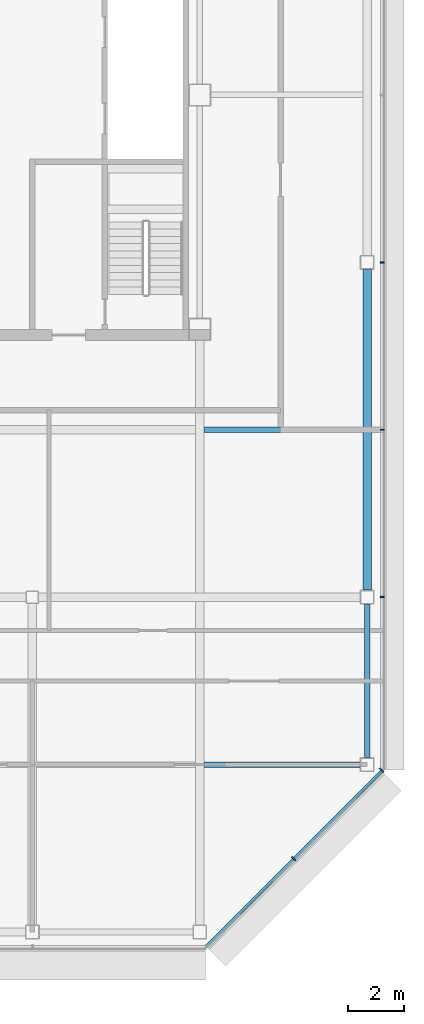
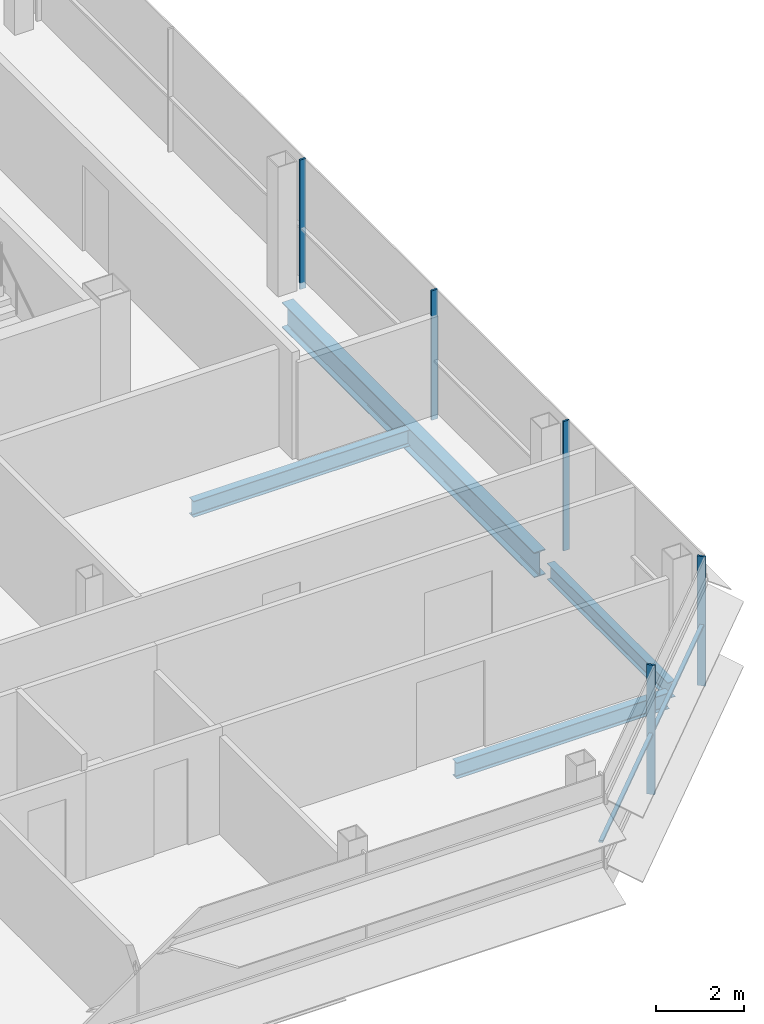
# One storey, part 17 of 28: 6 members, 4 beams, 2 elements without a shape of their own.
"""IFC4 building model written with IfcOpenShell, lengths in metres."""

from ifc_helpers import new_model, si_unit, direction, frame, origin, origin_2d, place, context, subcontext, project, spatial, rectangle, i_section, extrude, material, material_profile, profile_set, type_object, element, aggregate, save


model = new_model("IFC4")

# Units and contexts
model_context = context("Model", 3, precision=1e-05, world=origin(), true_north=direction((0.0, 1.0)))
body_context = subcontext(model_context, "Body", "Model", "MODEL_VIEW")
ifc_project = project(units=[si_unit("LENGTHUNIT", "METRE"), si_unit("AREAUNIT", "SQUARE_METRE"), si_unit("VOLUMEUNIT", "CUBIC_METRE"), si_unit("PLANEANGLEUNIT", "RADIAN"), si_unit("MASSUNIT", "GRAM", prefix="KILO")], contexts=[model_context])

# Site, building, storey
site_placement = place(None, origin())
site = spatial("IfcSite", under=ifc_project, at=site_placement, CompositionType="ELEMENT")
building_placement = place(site_placement, origin())
building = spatial("IfcBuilding", under=site, at=building_placement, Name="Sorahane Residences", CompositionType="ELEMENT")
storey_placement = place(building_placement, frame((0.0, 0.0, 305.199951171875)))
storey = spatial("IfcBuildingStorey", under=building, at=storey_placement, Name="L72", CompositionType="ELEMENT", Elevation=305.199951171875)

# Curtain wall, members
ifc_material_1 = material(Name="Dark low-e glass and black anodised aluminium", Category="aluminium")
curtain_wall_type_1 = type_object("IfcCurtainWallType", Name="Curtain wall CW-1 Typical unitised wall", PredefinedType="NOTDEFINED", material=ifc_material_1)
curtain_wall_1_placement = place(storey_placement, origin())
curtain_wall_1 = element("IfcCurtainWall", 1, at=curtain_wall_1_placement, inside=storey, type_object=curtain_wall_type_1, Name="CW-1 curtain wall L72 E1", PredefinedType="NOTDEFINED")
ifc_material_2 = material(Name="Black anodised aluminium", Category="aluminium")
ifc_material_profile_1 = material_profile(ifc_material_2, rectangle(XDim=0.159912109375, YDim=0.050048828125, at=origin_2d()), Name="Curtain wall mullion CW-1 black anodised aluminium 50x160")
ifc_profile_set_1 = profile_set([ifc_material_profile_1], Name="Black anodised aluminium")
member_type_1 = type_object("IfcMemberType", Name="Curtain wall mullion CW-1 black anodised aluminium 50x160", PredefinedType="MULLION", material=ifc_profile_set_1)
member_1_placement = place(storey_placement, frame((48.5400390625, 12.0, -0.179931640625), z_axis=(0.0, 0.0, 1.0), x_axis=(1.0, 0.0, 0.0)))
member_1 = element("IfcMember", 2, at=member_1_placement, type_object=member_type_1, Name="CW-1 mullion L72 E1.2", PredefinedType="MULLION", context=body_context, shape_type="SweptSolid", body=[
    extrude(rectangle(XDim=0.159912109375, YDim=0.050048828125, at=origin_2d()), origin(), (0.0, 0.0, 1.0), 3.60009765625),
])
member_2_placement = place(storey_placement, frame((48.5400390625, 18.0, -0.179931640625), z_axis=(0.0, 0.0, 1.0), x_axis=(1.0, 0.0, 0.0)))
member_2 = element("IfcMember", 3, at=member_2_placement, type_object=member_type_1, Name="CW-1 mullion L72 E1.3", PredefinedType="MULLION", context=body_context, shape_type="SweptSolid", body=[
    extrude(rectangle(XDim=0.159912109375, YDim=0.050048828125, at=origin_2d()), origin(), (0.0, 0.0, 1.0), 3.60009765625),
])
member_3_placement = place(storey_placement, frame((48.5400390625, 24.0, -0.179931640625), z_axis=(0.0, 0.0, 1.0), x_axis=(1.0, 0.0, 0.0)))
member_3 = element("IfcMember", 4, at=member_3_placement, type_object=member_type_1, Name="CW-1 mullion L72 E1.4", PredefinedType="MULLION", context=body_context, shape_type="SweptSolid", body=[
    extrude(rectangle(XDim=0.159912109375, YDim=0.050048828125, at=origin_2d()), origin(), (0.0, 0.0, 1.0), 3.60009765625),
])
aggregate(curtain_wall_1, [member_1, member_2, member_3])

ifc_material_3 = material(Name="Dark low-e glass and black anodised aluminium", Category="aluminium")
curtain_wall_type_2 = type_object("IfcCurtainWallType", Name="Curtain wall CW-2 Chamfer unitised wall", PredefinedType="NOTDEFINED", material=ifc_material_3)
curtain_wall_2_placement = place(storey_placement, origin())
curtain_wall_2 = element("IfcCurtainWall", 5, at=curtain_wall_2_placement, inside=storey, type_object=curtain_wall_type_2, Name="CW-2 curtain wall L72 SE1", PredefinedType="NOTDEFINED")
ifc_material_4 = material(Name="Black anodised aluminium", Category="aluminium")
ifc_material_profile_2 = material_profile(ifc_material_4, rectangle(XDim=0.199951171875, YDim=0.050048828125, at=origin_2d()), Name="Curtain wall mullion CW-2 black anodised aluminium 50x200")
ifc_profile_set_2 = profile_set([ifc_material_profile_2], Name="Black anodised aluminium")
member_type_2 = type_object("IfcMemberType", Name="Curtain wall mullion CW-2 black anodised aluminium 50x200", PredefinedType="MULLION", material=ifc_profile_set_2)
member_4_placement = place(storey_placement, frame((45.36767578125, 2.63232421875, -0.179931640625), z_axis=(0.0, 0.0, 1.0), x_axis=(0.707106781187, -0.707106781187, 0.0)))
member_4 = element("IfcMember", 6, at=member_4_placement, type_object=member_type_2, Name="CW-2 mullion L72 SE1.2", PredefinedType="MULLION", context=body_context, shape_type="SweptSolid", body=[
    extrude(rectangle(XDim=0.199951171875, YDim=0.050048828125, at=origin_2d()), origin(), (0.0, 0.0, 1.0), 3.60009765625),
])
member_5_placement = place(storey_placement, frame((48.525634765625, 5.790283203125, -0.179931640625), z_axis=(0.0, 0.0, 1.0), x_axis=(0.707106781187, -0.707106781187, 0.0)))
member_5 = element("IfcMember", 7, at=member_5_placement, type_object=member_type_2, Name="CW-2 mullion L72 SE1.3", PredefinedType="MULLION", context=body_context, shape_type="SweptSolid", body=[
    extrude(rectangle(XDim=0.199951171875, YDim=0.050048828125, at=origin_2d()), origin(), (0.0, 0.0, 1.0), 3.60009765625),
])
ifc_material_5 = material(Name="Black anodised aluminium", Category="aluminium")
ifc_material_profile_3 = material_profile(ifc_material_5, rectangle(XDim=0.10009765625, YDim=0.06005859375, at=origin_2d()), Name="Curtain wall transom CW-2 black anodised aluminium 60x100")
ifc_profile_set_3 = profile_set([ifc_material_profile_3], Name="Black anodised aluminium")
member_type_3 = type_object("IfcMemberType", Name="Curtain wall transom CW-2 black anodised aluminium 60x100", PredefinedType="USERDEFINED", material=ifc_profile_set_3)
member_6_placement = place(storey_placement, frame((42.234375, -0.51513671875, 1.5), z_axis=(0.707106781187, 0.707106781187, 0.0), x_axis=(-0.707106781187, 0.707106781187, 0.0)))
member_6 = element("IfcMember", 8, at=member_6_placement, type_object=member_type_3, Name="CW-2 transom L72 SE1", ObjectType="TRANSOM", PredefinedType="USERDEFINED", context=body_context, shape_type="SweptSolid", body=[
    extrude(rectangle(XDim=0.10009765625, YDim=0.06005859375, at=origin_2d()), origin(), (0.0, 0.0, 1.0), 8.88232421875),
])
aggregate(curtain_wall_2, [member_4, member_5, member_6])

# Beams
ifc_material_6 = material(Name="Steel Q355B", Category="steel")
ifc_material_profile_4 = material_profile(ifc_material_6, i_section(OverallWidth=0.199951171875, OverallDepth=0.449951171875, WebThickness=0.009033203125, FlangeThickness=0.013916015625, FilletRadius=0.02001953125, at=origin_2d()), Name="HN 450x200x9x14")
ifc_profile_set_4 = profile_set([ifc_material_profile_4], Name="Steel Q355B")
beam_type_1 = type_object("IfcBeamType", Name="Steel floor beam HN 450x200x9x14 Q355B", PredefinedType="BEAM", material=ifc_profile_set_4)
beam_1_placement = place(storey_placement, frame((48.0, 6.25, -0.405029296875), z_axis=(0.0, 1.0, 0.0), x_axis=(-1.0, 0.0, 0.0)))
element("IfcBeam", 9, at=beam_1_placement, inside=storey, type_object=beam_type_1, Name="Beam L72 062", PredefinedType="BEAM", context=body_context, shape_type="SweptSolid", body=[
    extrude(i_section(OverallWidth=0.199951171875, OverallDepth=0.449951171875, WebThickness=0.009033203125, FlangeThickness=0.013916015625, FilletRadius=0.02001953125, at=origin_2d()), origin(), (0.0, 0.0, 1.0), 5.5),
])
beam_2_placement = place(storey_placement, frame((42.14990234375, 6.0, -0.405029296875), z_axis=(1.0, 0.0, 0.0), x_axis=(0.0, 1.0, 0.0)))
element("IfcBeam", 10, at=beam_2_placement, inside=storey, type_object=beam_type_1, Name="Beam L72 075", PredefinedType="BEAM", context=body_context, shape_type="SweptSolid", body=[
    extrude(i_section(OverallWidth=0.199951171875, OverallDepth=0.449951171875, WebThickness=0.009033203125, FlangeThickness=0.013916015625, FilletRadius=0.02001953125, at=origin_2d()), origin(), (0.0, 0.0, 1.0), 5.60009765625),
])
beam_3_placement = place(storey_placement, frame((42.14990234375, 18.0, -0.405029296875), z_axis=(1.0, 0.0, 0.0), x_axis=(0.0, 1.0, 0.0)))
element("IfcBeam", 11, at=beam_3_placement, inside=storey, type_object=beam_type_1, Name="Beam L72 082", PredefinedType="BEAM", context=body_context, shape_type="SweptSolid", body=[
    extrude(i_section(OverallWidth=0.199951171875, OverallDepth=0.449951171875, WebThickness=0.009033203125, FlangeThickness=0.013916015625, FilletRadius=0.02001953125, at=origin_2d()), origin(), (0.0, 0.0, 1.0), 5.7001953125),
])
ifc_material_7 = material(Name="Steel Q355B", Category="steel")
ifc_material_profile_5 = material_profile(ifc_material_7, i_section(OverallWidth=0.300048828125, OverallDepth=0.699951171875, WebThickness=0.012939453125, FlangeThickness=0.02392578125, FilletRadius=0.028076171875, at=origin_2d()), Name="HN 700x300x13x24")
ifc_profile_set_5 = profile_set([ifc_material_profile_5], Name="Steel Q355B")
beam_type_2 = type_object("IfcBeamType", Name="Steel floor beam HN 700x300x13x24 Q355B", PredefinedType="BEAM", material=ifc_profile_set_5)
beam_4_placement = place(storey_placement, frame((48.0, 12.25, -0.530029296875), z_axis=(0.0, 1.0, 0.0), x_axis=(-1.0, 0.0, 0.0)))
element("IfcBeam", 12, at=beam_4_placement, inside=storey, type_object=beam_type_2, Name="Beam L72 063", PredefinedType="BEAM", context=body_context, shape_type="SweptSolid", body=[
    extrude(i_section(OverallWidth=0.300048828125, OverallDepth=0.699951171875, WebThickness=0.012939453125, FlangeThickness=0.02392578125, FilletRadius=0.028076171875, at=origin_2d()), origin(), (0.0, 0.0, 1.0), 11.5),
])

save(model, "model.ifc")
